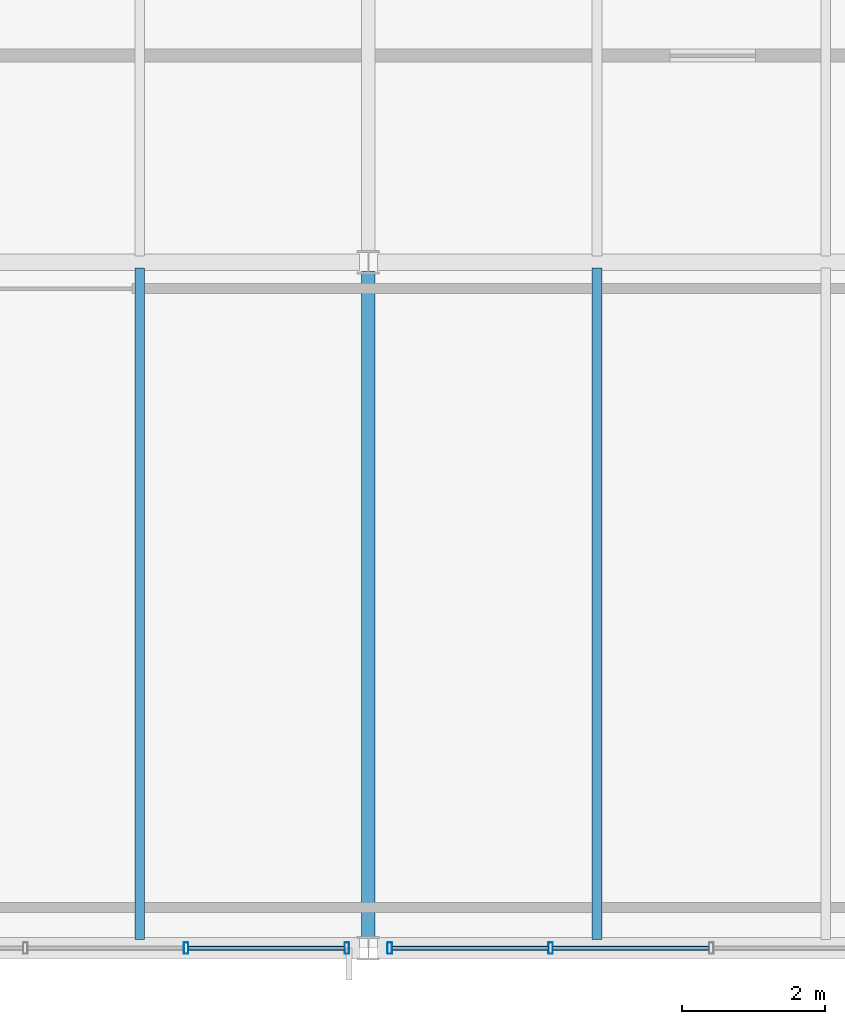
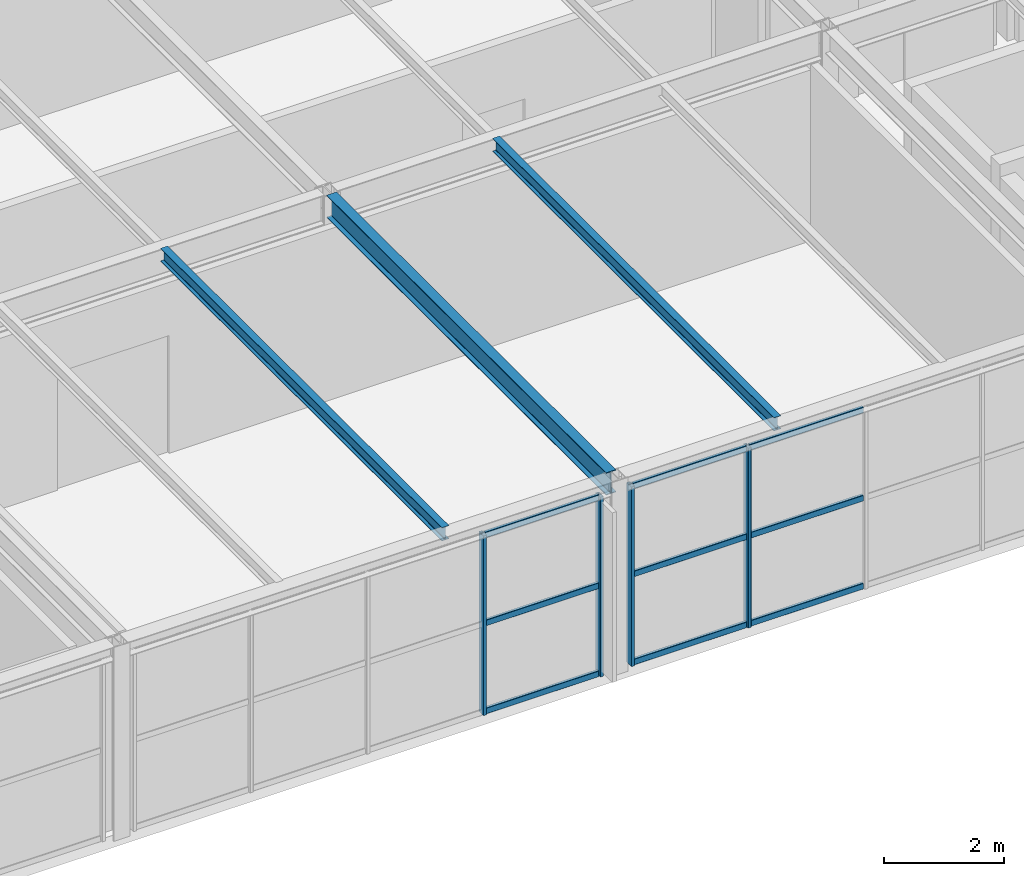
# One storey, part 33 of 50: 13 members, 3 beams, 2 elements without a shape of their own.
"""IFC4 building model written with IfcOpenShell, lengths in metres."""

import ifcopenshell
import ifcopenshell.guid

model = None  # the IFC model being written
_history = None  # IfcOwnerHistory: only IFC2X3 demands one
_inside = {}  # id of a spatial element -> (the spatial element, [elements in it])
_under = {}  # id of a project, library or spatial element -> (it, [spatial elements below it])
_declared = {}  # id of a project -> (the project, [libraries it declares])
_typed = {}  # id of a type object -> (the type object, [elements of that type])
_made_of = {}  # id of a material, layer set ... -> (it, [elements and type objects made of it])


def new_model(schema):
    """Start an empty IFC model of exactly this schema.

    Asked for "IFC4X3", IfcOpenShell would pick the latest addendum, in which some entities
    have other attributes; the version numbers below select the first issue.
    IFC2X3 requires an IfcOwnerHistory on every rooted entity: one is made here for all.
    """
    global model, _history
    if schema == "IFC4X3":
        model = ifcopenshell.file(schema_version=(4, 3, 0, 0))
    else:
        model = ifcopenshell.file(schema=schema)
    _inside.clear()
    _under.clear()
    _declared.clear()
    _typed.clear()
    _made_of.clear()
    _history = None
    if model.schema == "IFC2X3":
        org = make("IfcOrganization", Name="unknown")
        user = make(
            "IfcPersonAndOrganization",
            ThePerson=make("IfcPerson", FamilyName="unknown"),
            TheOrganization=org,
        )
        app = make(
            "IfcApplication",
            ApplicationDeveloper=org,
            Version="unknown",
            ApplicationFullName="unknown",
            ApplicationIdentifier="unknown",
        )
        _history = make(
            "IfcOwnerHistory",
            OwningUser=user,
            OwningApplication=app,
            ChangeAction="ADDED",
            CreationDate=0,
        )
    return model


def make(cls, **values):
    """One entity of the class cls with the attributes given. An attribute that is None is left unset."""
    return model.create_entity(
        cls, **{name: value for name, value in values.items() if value is not None}
    )


def rooted(cls, **values):
    """An entity with a GlobalId (a new one), such as an element, a storey or a relation."""
    return make(cls, GlobalId=ifcopenshell.guid.new(), OwnerHistory=_history, **values)


def si_unit(unit_type, name, prefix=None):
    """IfcSIUnit, for example si_unit("LENGTHUNIT", "METRE", prefix="MILLI")."""
    return make("IfcSIUnit", UnitType=unit_type, Prefix=prefix, Name=name)


def assignment(units):
    """IfcUnitAssignment: the units of a project."""
    return None if units is None else make("IfcUnitAssignment", Units=units)


def point(xyz):
    """IfcCartesianPoint."""
    return None if xyz is None else make("IfcCartesianPoint", Coordinates=xyz)


def direction(xyz):
    """IfcDirection."""
    return None if xyz is None else make("IfcDirection", DirectionRatios=xyz)


def frame(location, z_axis=None, x_axis=None):
    """IfcAxis2Placement3D, a coordinate frame: its origin and axes. An axis left out is left unset."""
    return make(
        "IfcAxis2Placement3D",
        Location=point(location),
        Axis=direction(z_axis),
        RefDirection=direction(x_axis),
    )


def frame_2d(location, x_axis=None):
    """IfcAxis2Placement2D, a coordinate frame in the plane: its origin and x axis."""
    return make(
        "IfcAxis2Placement2D", Location=point(location), RefDirection=direction(x_axis)
    )


def origin():
    """The frame at (0, 0, 0) with its axes left unset."""
    return frame((0.0, 0.0, 0.0))


def origin_2d():
    """The frame at (0, 0) in the plane with its x axis left unset."""
    return frame_2d((0.0, 0.0))


def place(relative_to, where):
    """IfcLocalPlacement: puts the frame where relative to a parent placement (None: the world)."""
    return make(
        "IfcLocalPlacement", PlacementRelTo=relative_to, RelativePlacement=where
    )


def context(
    kind, dimensions, precision=None, world=None, true_north=None, identifier=None
):
    """IfcGeometricRepresentationContext, for example the 3D "Model" context."""
    return make(
        "IfcGeometricRepresentationContext",
        ContextIdentifier=identifier,
        ContextType=kind,
        CoordinateSpaceDimension=dimensions,
        Precision=precision,
        WorldCoordinateSystem=world,
        TrueNorth=true_north,
    )


def subcontext(parent, identifier, kind, view, scale=None):
    """IfcGeometricRepresentationSubContext, for example "Body" below "Model"."""
    return make(
        "IfcGeometricRepresentationSubContext",
        ContextIdentifier=identifier,
        ContextType=kind,
        ParentContext=parent,
        TargetScale=scale,
        TargetView=view,
    )


def project(units=None, contexts=None):
    """IfcProject with its units and contexts."""
    return rooted(
        "IfcProject",
        Name="project",
        RepresentationContexts=contexts,
        UnitsInContext=assignment(units),
    )


def spatial(cls, under=None, at=None, **own):
    """A site, building, storey or space (cls), placed at a placement, below another one or the project."""
    s = rooted(cls, ObjectPlacement=at, **own)
    if under is not None:
        _under.setdefault(under.id(), (under, []))[1].append(s)
    return s


def profile(cls, at=None, kind="AREA", **sizes):
    """A parametric profile (cls). Its sizes go by their IFC names, for example OverallWidth=200.0."""
    return make(cls, ProfileType=kind, Position=at, **sizes)


def hollow_rectangle(**sizes):
    """IfcRectangleHollowProfileDef."""
    return profile("IfcRectangleHollowProfileDef", **sizes)


def i_section(**sizes):
    """IfcIShapeProfileDef."""
    return profile("IfcIShapeProfileDef", **sizes)


def extrude(swept, where, along, depth):
    """IfcExtrudedAreaSolid: the profile swept, set in the frame where, extruded along a direction by depth."""
    return make(
        "IfcExtrudedAreaSolid",
        SweptArea=swept,
        Position=where,
        ExtrudedDirection=direction(along),
        Depth=depth,
    )


def shape(context_of_items, identifier, shape_type, items):
    """IfcShapeRepresentation: the items that make up one representation, for example the "Body"."""
    return make(
        "IfcShapeRepresentation",
        ContextOfItems=context_of_items,
        RepresentationIdentifier=identifier,
        RepresentationType=shape_type,
        Items=items,
    )


def material(Name=None, Category=None):
    """IfcMaterial."""
    return make("IfcMaterial", Name=Name, Category=Category)


def material_profile(
    of_material, cross_section, Name=None, Category=None, Priority=None
):
    """IfcMaterialProfile: a cross section and its material."""
    return make(
        "IfcMaterialProfile",
        Name=Name,
        Material=of_material,
        Profile=cross_section,
        Priority=Priority,
        Category=Category,
    )


def profile_set(profiles, Name=None, composite=None):
    """IfcMaterialProfileSet."""
    return make(
        "IfcMaterialProfileSet",
        Name=Name,
        MaterialProfiles=profiles,
        CompositeProfile=composite,
    )


def made_of(thing, what):
    """Note that an element or type object is made of a material, layer set ...; save() writes the relation."""
    if what is not None:
        _made_of.setdefault(what.id(), (what, []))[1].append(thing)
    return thing


def type_object(cls, material=None, **own):
    """A type object (cls), such as IfcWallType, which elements share."""
    return made_of(rooted(cls, **own), material)


def element(
    cls,
    number,
    at=None,
    inside=None,
    cuts=None,
    type_object=None,
    material=None,
    context=None,
    identifier="Body",
    shape_type=None,
    held_by="IfcProductDefinitionShape",
    body=None,
    shapes=None,
    **own,
):
    """One element of the class cls, such as IfcWall. Its Tag is "e" and its number.

    at: its placement. inside: the storey or other place that contains it. cuts: it is an
    opening in that element (IfcRelVoidsElement). A single representation is given by context,
    identifier, shape_type and body (its items); several are given by shapes. held_by: the class
    of the entity that holds the representations. save() writes the other relations.
    """
    e = rooted(cls, Tag="e%d" % number, ObjectPlacement=at, **own)
    if body is not None:
        shapes = [shape(context, identifier, shape_type, body)]
    if shapes is not None:
        e.Representation = make(held_by, Representations=shapes)
    if inside is not None:
        _inside.setdefault(inside.id(), (inside, []))[1].append(e)
    if cuts is not None:
        rooted(
            "IfcRelVoidsElement", RelatingBuildingElement=cuts, RelatedOpeningElement=e
        )
    if type_object is not None:
        _typed.setdefault(type_object.id(), (type_object, []))[1].append(e)
    return made_of(e, material)


def aggregate(whole, parts):
    """IfcRelAggregates: a whole, such as a stair, and the parts it consists of."""
    return rooted("IfcRelAggregates", RelatingObject=whole, RelatedObjects=parts)


def save(model, path):
    """Write the relations noted so far, then the file.

    IfcRelAggregates (storeys below a building ...), IfcRelContainedInSpatialStructure (elements
    in a storey), IfcRelDefinesByType, IfcRelAssociatesMaterial and IfcRelDeclares: one each for
    every whole, place, type object, material and project.
    """
    for whole, parts in _under.values():
        aggregate(whole, parts)
    for where, things in _inside.values():
        rooted(
            "IfcRelContainedInSpatialStructure",
            RelatedElements=things,
            RelatingStructure=where,
        )
    for kind, things in _typed.values():
        rooted("IfcRelDefinesByType", RelatedObjects=things, RelatingType=kind)
    for what, things in _made_of.values():
        rooted("IfcRelAssociatesMaterial", RelatedObjects=things, RelatingMaterial=what)
    for by, libraries in _declared.values():
        rooted("IfcRelDeclares", RelatingContext=by, RelatedDefinitions=libraries)
    model.write(path)


model = new_model("IFC4")

# Units and contexts
model_context = context("Model", 3, precision=1e-05, world=origin(), true_north=direction((0.0, 1.0)))
body_context = subcontext(model_context, "Body", "Model", "MODEL_VIEW")
ifc_project = project(units=[si_unit("LENGTHUNIT", "METRE"), si_unit("AREAUNIT", "SQUARE_METRE"), si_unit("VOLUMEUNIT", "CUBIC_METRE"), si_unit("PLANEANGLEUNIT", "RADIAN"), si_unit("MASSUNIT", "GRAM", prefix="KILO")], contexts=[model_context])

# Site, building, storey
site_placement = place(None, origin())
site = spatial("IfcSite", under=ifc_project, at=site_placement, CompositionType="ELEMENT")
building_placement = place(site_placement, origin())
building = spatial("IfcBuilding", under=site, at=building_placement, Name="Coralgate Yard Interchange", CompositionType="ELEMENT")
storey_placement = place(building_placement, frame((0.0, 0.0, 14.699951171875)))
storey = spatial("IfcBuildingStorey", under=building, at=storey_placement, Name="L03", CompositionType="ELEMENT", Elevation=14.699951171875)

# Beams
ifc_material_1 = material(Name="Structural steel S355J2", Category="steel")
ifc_material_profile_1 = material_profile(ifc_material_1, i_section(OverallWidth=0.1904296875, OverallDepth=0.45703125, WebThickness=0.009033203125, FlangeThickness=0.014404296875, FilletRadius=0.01025390625, at=origin_2d()), Name="UB 457x191x74")
ifc_profile_set_1 = profile_set([ifc_material_profile_1], Name="Structural steel S355J2")
beam_type_1 = type_object("IfcBeamType", Name="BM-SB-2", PredefinedType="BEAM", material=ifc_profile_set_1)
beam_placement = place(storey_placement, frame((67.199951171875, 0.133544921875, 3.721435546875), z_axis=(0.0, 1.0, 0.0), x_axis=(-1.0, 0.0, 0.0)))
element("IfcBeam", 1, at=beam_placement, inside=storey, type_object=beam_type_1, Name="L03 primary grid girder X7 Y0-1", PredefinedType="BEAM", context=body_context, shape_type="SweptSolid", body=[
    extrude(i_section(OverallWidth=0.1904296875, OverallDepth=0.45703125, WebThickness=0.009033203125, FlangeThickness=0.014404296875, FilletRadius=0.01025390625, at=origin_2d()), origin(), (0.0, 0.0, 1.0), 9.3330078125),
])
ifc_material_profile_2 = material_profile(ifc_material_1, i_section(OverallWidth=0.135009765625, OverallDepth=0.27001953125, WebThickness=0.006591796875, FlangeThickness=0.01025390625, FilletRadius=0.014892578125, at=origin_2d()), Name="IPE 270")
ifc_profile_set_2 = profile_set([ifc_material_profile_2], Name="Structural steel S355J2")
beam_type_2 = type_object("IfcBeamType", Name="BM-SJ-3", PredefinedType="JOIST", material=ifc_profile_set_2)
for number, where, z_axis, x_axis, name in (
    (2, (64.0, 0.1201171875, 3.81494140625), (0.0, 1.0, 0.0), (-1.0, 0.0, 0.0), "L03 composite floor joist 6-0-2"),
    (3, (70.39990234375, 0.1201171875, 3.81494140625), (0.0, 1.0, 0.0), (-1.0, 0.0, 0.0), "L03 composite floor joist 7-0-1"),
):
    element("IfcBeam", number, at=place(storey_placement, frame(where, z_axis=z_axis, x_axis=x_axis)), inside=storey, type_object=beam_type_2, Name=name, PredefinedType="JOIST", context=body_context, shape_type="SweptSolid", body=[
        extrude(i_section(OverallWidth=0.135009765625, OverallDepth=0.27001953125, WebThickness=0.006591796875, FlangeThickness=0.01025390625, FilletRadius=0.014892578125, at=origin_2d()), origin(), (0.0, 0.0, 1.0), 9.395751953125),
    ])

# Curtain wall, members
ifc_material_2 = material(Name="Anodised coastal aluminium and solar-control low-E glass", Category="aluminium")
curtain_wall_type = type_object("IfcCurtainWallType", Name="CW-CW-L03-A", PredefinedType="NOTDEFINED", material=ifc_material_2)
curtain_wall_1_placement = place(storey_placement, origin())
curtain_wall_1 = element("IfcCurtainWall", 4, at=curtain_wall_1_placement, inside=storey, type_object=curtain_wall_type, Name="L03 unitised curtain wall CW-L03-S-06-00", PredefinedType="NOTDEFINED")
ifc_material_3 = material(Name="Anodised coastal aluminium 6063-T6", Category="aluminium")
ifc_material_profile_3 = material_profile(ifc_material_3, hollow_rectangle(XDim=0.06494140625, YDim=0.159912109375, WallThickness=0.00390625, InnerFilletRadius=0.00390625, OuterFilletRadius=0.008056640625, at=origin_2d()), Name="ALU 65x160x4")
ifc_profile_set_3 = profile_set([ifc_material_profile_3], Name="Anodised coastal aluminium 6063-T6")
member_type_1 = type_object("IfcMemberType", Name="MB-MUL-160", PredefinedType="MULLION", material=ifc_profile_set_3)
member_1_placement = place(storey_placement, frame((66.89990234375, 0.0, 0.0), z_axis=(0.0, 0.0, 1.0), x_axis=(1.0, 0.0, 0.0)))
member_1 = element("IfcMember", 5, at=member_1_placement, type_object=member_type_1, Name="CW-L03-S-06-00 vertical mullion 1", PredefinedType="MULLION", context=body_context, shape_type="SweptSolid", body=[
    extrude(hollow_rectangle(XDim=0.06494140625, YDim=0.159912109375, WallThickness=0.00390625, InnerFilletRadius=0.00390625, OuterFilletRadius=0.008056640625, at=origin_2d()), origin(), (0.0, 0.0, 1.0), 3.66015625),
])
member_2_placement = place(storey_placement, frame((64.64990234375, 0.0, 0.0), z_axis=(0.0, 0.0, 1.0), x_axis=(1.0, 0.0, 0.0)))
member_2 = element("IfcMember", 6, at=member_2_placement, type_object=member_type_1, Name="CW-L03-S-06-00 vertical mullion 2", PredefinedType="MULLION", context=body_context, shape_type="SweptSolid", body=[
    extrude(hollow_rectangle(XDim=0.06494140625, YDim=0.159912109375, WallThickness=0.00390625, InnerFilletRadius=0.00390625, OuterFilletRadius=0.008056640625, at=origin_2d()), origin(), (0.0, 0.0, 1.0), 3.66015625),
])

curtain_wall_2_placement = place(storey_placement, origin())
curtain_wall_2 = element("IfcCurtainWall", 7, at=curtain_wall_2_placement, inside=storey, type_object=curtain_wall_type, Name="L03 unitised curtain wall CW-L03-S-07-00", PredefinedType="NOTDEFINED")
member_3_placement = place(storey_placement, frame((69.75, 0.0, 0.0), z_axis=(0.0, 0.0, 1.0), x_axis=(1.0, 0.0, 0.0)))
member_3 = element("IfcMember", 8, at=member_3_placement, type_object=member_type_1, Name="CW-L03-S-07-00 vertical mullion 4", PredefinedType="MULLION", context=body_context, shape_type="SweptSolid", body=[
    extrude(hollow_rectangle(XDim=0.06494140625, YDim=0.159912109375, WallThickness=0.00390625, InnerFilletRadius=0.00390625, OuterFilletRadius=0.008056640625, at=origin_2d()), origin(), (0.0, 0.0, 1.0), 3.66015625),
])
member_4_placement = place(storey_placement, frame((67.5, 0.0, 0.0), z_axis=(0.0, 0.0, 1.0), x_axis=(1.0, 0.0, 0.0)))
member_4 = element("IfcMember", 9, at=member_4_placement, type_object=member_type_1, Name="CW-L03-S-07-00 vertical mullion 5", PredefinedType="MULLION", context=body_context, shape_type="SweptSolid", body=[
    extrude(hollow_rectangle(XDim=0.06494140625, YDim=0.159912109375, WallThickness=0.00390625, InnerFilletRadius=0.00390625, OuterFilletRadius=0.008056640625, at=origin_2d()), origin(), (0.0, 0.0, 1.0), 3.66015625),
])

# Member
ifc_material_profile_4 = material_profile(ifc_material_3, hollow_rectangle(XDim=0.06005859375, YDim=0.1201171875, WallThickness=0.00341796875, InnerFilletRadius=0.00341796875, OuterFilletRadius=0.007080078125, at=origin_2d()), Name="ALU 60x120x3.5")
ifc_profile_set_4 = profile_set([ifc_material_profile_4], Name="Anodised coastal aluminium 6063-T6")
member_type_2 = type_object("IfcMemberType", Name="MB-TRN-120", PredefinedType="USERDEFINED", material=ifc_profile_set_4)
member_5_placement = place(storey_placement, frame((66.8701171875, 0.0, 0.03515625), z_axis=(-1.0, 0.0, 0.0), x_axis=(0.0, -1.0, 0.0)))
member_5 = element("IfcMember", 10, at=member_5_placement, type_object=member_type_2, Name="CW-L03-S-06-00 horizontal transom 1-1", ObjectType="TRANSOM", PredefinedType="USERDEFINED", context=body_context, shape_type="SweptSolid", body=[
    extrude(hollow_rectangle(XDim=0.06005859375, YDim=0.1201171875, WallThickness=0.00341796875, InnerFilletRadius=0.00341796875, OuterFilletRadius=0.007080078125, at=origin_2d()), origin(), (0.0, 0.0, 1.0), 2.190185546875),
])

member_6_placement = place(storey_placement, frame((66.8701171875, 0.0, 1.830078125), z_axis=(-1.0, 0.0, 0.0), x_axis=(0.0, -1.0, 0.0)))
member_6 = element("IfcMember", 11, at=member_6_placement, type_object=member_type_2, Name="CW-L03-S-06-00 horizontal transom 1-2", ObjectType="TRANSOM", PredefinedType="USERDEFINED", context=body_context, shape_type="SweptSolid", body=[
    extrude(hollow_rectangle(XDim=0.06005859375, YDim=0.1201171875, WallThickness=0.00341796875, InnerFilletRadius=0.00341796875, OuterFilletRadius=0.007080078125, at=origin_2d()), origin(), (0.0, 0.0, 1.0), 2.190185546875),
])

member_7_placement = place(storey_placement, frame((66.8701171875, 0.0, 3.625), z_axis=(-1.0, 0.0, 0.0), x_axis=(0.0, -1.0, 0.0)))
member_7 = element("IfcMember", 12, at=member_7_placement, type_object=member_type_2, Name="CW-L03-S-06-00 horizontal transom 1-3", ObjectType="TRANSOM", PredefinedType="USERDEFINED", context=body_context, shape_type="SweptSolid", body=[
    extrude(hollow_rectangle(XDim=0.06005859375, YDim=0.1201171875, WallThickness=0.00341796875, InnerFilletRadius=0.00341796875, OuterFilletRadius=0.007080078125, at=origin_2d()), origin(), (0.0, 0.0, 1.0), 2.190185546875),
])

aggregate(curtain_wall_1, [member_1, member_2, member_5, member_6, member_7])

member_8_placement = place(storey_placement, frame((71.969970703125, 0.0, 0.03515625), z_axis=(-1.0, 0.0, 0.0), x_axis=(0.0, -1.0, 0.0)))
member_8 = element("IfcMember", 13, at=member_8_placement, type_object=member_type_2, Name="CW-L03-S-07-00 horizontal transom 3-1", ObjectType="TRANSOM", PredefinedType="USERDEFINED", context=body_context, shape_type="SweptSolid", body=[
    extrude(hollow_rectangle(XDim=0.06005859375, YDim=0.1201171875, WallThickness=0.00341796875, InnerFilletRadius=0.00341796875, OuterFilletRadius=0.007080078125, at=origin_2d()), origin(), (0.0, 0.0, 1.0), 2.18994140625),
])

member_9_placement = place(storey_placement, frame((71.969970703125, 0.0, 1.830078125), z_axis=(-1.0, 0.0, 0.0), x_axis=(0.0, -1.0, 0.0)))
member_9 = element("IfcMember", 14, at=member_9_placement, type_object=member_type_2, Name="CW-L03-S-07-00 horizontal transom 3-2", ObjectType="TRANSOM", PredefinedType="USERDEFINED", context=body_context, shape_type="SweptSolid", body=[
    extrude(hollow_rectangle(XDim=0.06005859375, YDim=0.1201171875, WallThickness=0.00341796875, InnerFilletRadius=0.00341796875, OuterFilletRadius=0.007080078125, at=origin_2d()), origin(), (0.0, 0.0, 1.0), 2.18994140625),
])

member_10_placement = place(storey_placement, frame((71.969970703125, 0.0, 3.625), z_axis=(-1.0, 0.0, 0.0), x_axis=(0.0, -1.0, 0.0)))
member_10 = element("IfcMember", 15, at=member_10_placement, type_object=member_type_2, Name="CW-L03-S-07-00 horizontal transom 3-3", ObjectType="TRANSOM", PredefinedType="USERDEFINED", context=body_context, shape_type="SweptSolid", body=[
    extrude(hollow_rectangle(XDim=0.06005859375, YDim=0.1201171875, WallThickness=0.00341796875, InnerFilletRadius=0.00341796875, OuterFilletRadius=0.007080078125, at=origin_2d()), origin(), (0.0, 0.0, 1.0), 2.18994140625),
])

member_11_placement = place(storey_placement, frame((69.719970703125, 0.0, 0.03515625), z_axis=(-1.0, 0.0, 0.0), x_axis=(0.0, -1.0, 0.0)))
member_11 = element("IfcMember", 16, at=member_11_placement, type_object=member_type_2, Name="CW-L03-S-07-00 horizontal transom 4-1", ObjectType="TRANSOM", PredefinedType="USERDEFINED", context=body_context, shape_type="SweptSolid", body=[
    extrude(hollow_rectangle(XDim=0.06005859375, YDim=0.1201171875, WallThickness=0.00341796875, InnerFilletRadius=0.00341796875, OuterFilletRadius=0.007080078125, at=origin_2d()), origin(), (0.0, 0.0, 1.0), 2.18994140625),
])

member_12_placement = place(storey_placement, frame((69.719970703125, 0.0, 1.830078125), z_axis=(-1.0, 0.0, 0.0), x_axis=(0.0, -1.0, 0.0)))
member_12 = element("IfcMember", 17, at=member_12_placement, type_object=member_type_2, Name="CW-L03-S-07-00 horizontal transom 4-2", ObjectType="TRANSOM", PredefinedType="USERDEFINED", context=body_context, shape_type="SweptSolid", body=[
    extrude(hollow_rectangle(XDim=0.06005859375, YDim=0.1201171875, WallThickness=0.00341796875, InnerFilletRadius=0.00341796875, OuterFilletRadius=0.007080078125, at=origin_2d()), origin(), (0.0, 0.0, 1.0), 2.18994140625),
])

member_13_placement = place(storey_placement, frame((69.719970703125, 0.0, 3.625), z_axis=(-1.0, 0.0, 0.0), x_axis=(0.0, -1.0, 0.0)))
member_13 = element("IfcMember", 18, at=member_13_placement, type_object=member_type_2, Name="CW-L03-S-07-00 horizontal transom 4-3", ObjectType="TRANSOM", PredefinedType="USERDEFINED", context=body_context, shape_type="SweptSolid", body=[
    extrude(hollow_rectangle(XDim=0.06005859375, YDim=0.1201171875, WallThickness=0.00341796875, InnerFilletRadius=0.00341796875, OuterFilletRadius=0.007080078125, at=origin_2d()), origin(), (0.0, 0.0, 1.0), 2.18994140625),
])

aggregate(curtain_wall_2, [member_3, member_4, member_8, member_9, member_10, member_11, member_12, member_13])

save(model, "model.ifc")
